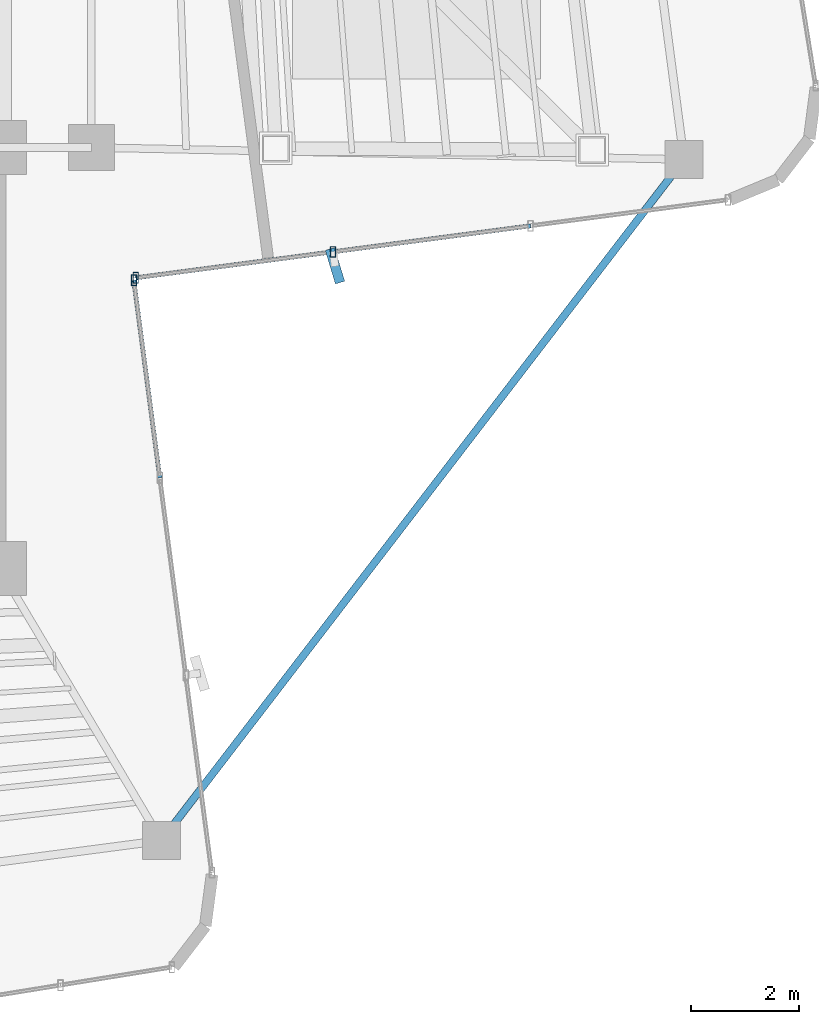
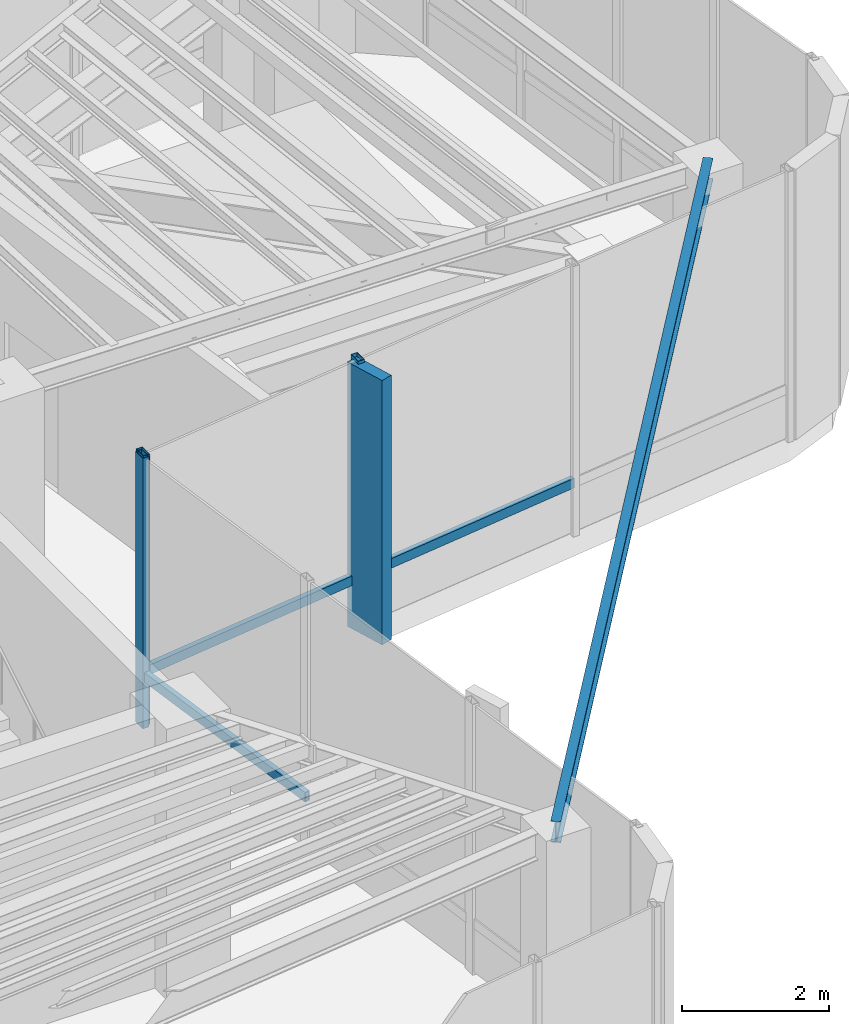
# One storey, part 4 of 16: 7 members, 1 beam, 2 elements without a shape of their own.
"""IFC4 building model written with IfcOpenShell, lengths in metres."""

import ifcopenshell
import ifcopenshell.guid

model = None  # the IFC model being written
_history = None  # IfcOwnerHistory: only IFC2X3 demands one
_inside = {}  # id of a spatial element -> (the spatial element, [elements in it])
_under = {}  # id of a project, library or spatial element -> (it, [spatial elements below it])
_declared = {}  # id of a project -> (the project, [libraries it declares])
_typed = {}  # id of a type object -> (the type object, [elements of that type])
_made_of = {}  # id of a material, layer set ... -> (it, [elements and type objects made of it])


def new_model(schema):
    """Start an empty IFC model of exactly this schema.

    Asked for "IFC4X3", IfcOpenShell would pick the latest addendum, in which some entities
    have other attributes; the version numbers below select the first issue.
    IFC2X3 requires an IfcOwnerHistory on every rooted entity: one is made here for all.
    """
    global model, _history
    if schema == "IFC4X3":
        model = ifcopenshell.file(schema_version=(4, 3, 0, 0))
    else:
        model = ifcopenshell.file(schema=schema)
    _inside.clear()
    _under.clear()
    _declared.clear()
    _typed.clear()
    _made_of.clear()
    _history = None
    if model.schema == "IFC2X3":
        org = make("IfcOrganization", Name="unknown")
        user = make(
            "IfcPersonAndOrganization",
            ThePerson=make("IfcPerson", FamilyName="unknown"),
            TheOrganization=org,
        )
        app = make(
            "IfcApplication",
            ApplicationDeveloper=org,
            Version="unknown",
            ApplicationFullName="unknown",
            ApplicationIdentifier="unknown",
        )
        _history = make(
            "IfcOwnerHistory",
            OwningUser=user,
            OwningApplication=app,
            ChangeAction="ADDED",
            CreationDate=0,
        )
    return model


def make(cls, **values):
    """One entity of the class cls with the attributes given. An attribute that is None is left unset."""
    return model.create_entity(
        cls, **{name: value for name, value in values.items() if value is not None}
    )


def rooted(cls, **values):
    """An entity with a GlobalId (a new one), such as an element, a storey or a relation."""
    return make(cls, GlobalId=ifcopenshell.guid.new(), OwnerHistory=_history, **values)


def si_unit(unit_type, name, prefix=None):
    """IfcSIUnit, for example si_unit("LENGTHUNIT", "METRE", prefix="MILLI")."""
    return make("IfcSIUnit", UnitType=unit_type, Prefix=prefix, Name=name)


def assignment(units):
    """IfcUnitAssignment: the units of a project."""
    return None if units is None else make("IfcUnitAssignment", Units=units)


def point(xyz):
    """IfcCartesianPoint."""
    return None if xyz is None else make("IfcCartesianPoint", Coordinates=xyz)


def direction(xyz):
    """IfcDirection."""
    return None if xyz is None else make("IfcDirection", DirectionRatios=xyz)


def frame(location, z_axis=None, x_axis=None):
    """IfcAxis2Placement3D, a coordinate frame: its origin and axes. An axis left out is left unset."""
    return make(
        "IfcAxis2Placement3D",
        Location=point(location),
        Axis=direction(z_axis),
        RefDirection=direction(x_axis),
    )


def frame_2d(location, x_axis=None):
    """IfcAxis2Placement2D, a coordinate frame in the plane: its origin and x axis."""
    return make(
        "IfcAxis2Placement2D", Location=point(location), RefDirection=direction(x_axis)
    )


def origin():
    """The frame at (0, 0, 0) with its axes left unset."""
    return frame((0.0, 0.0, 0.0))


def origin_2d():
    """The frame at (0, 0) in the plane with its x axis left unset."""
    return frame_2d((0.0, 0.0))


def place(relative_to, where):
    """IfcLocalPlacement: puts the frame where relative to a parent placement (None: the world)."""
    return make(
        "IfcLocalPlacement", PlacementRelTo=relative_to, RelativePlacement=where
    )


def context(
    kind, dimensions, precision=None, world=None, true_north=None, identifier=None
):
    """IfcGeometricRepresentationContext, for example the 3D "Model" context."""
    return make(
        "IfcGeometricRepresentationContext",
        ContextIdentifier=identifier,
        ContextType=kind,
        CoordinateSpaceDimension=dimensions,
        Precision=precision,
        WorldCoordinateSystem=world,
        TrueNorth=true_north,
    )


def subcontext(parent, identifier, kind, view, scale=None):
    """IfcGeometricRepresentationSubContext, for example "Body" below "Model"."""
    return make(
        "IfcGeometricRepresentationSubContext",
        ContextIdentifier=identifier,
        ContextType=kind,
        ParentContext=parent,
        TargetScale=scale,
        TargetView=view,
    )


def project(units=None, contexts=None):
    """IfcProject with its units and contexts."""
    return rooted(
        "IfcProject",
        Name="project",
        RepresentationContexts=contexts,
        UnitsInContext=assignment(units),
    )


def spatial(cls, under=None, at=None, **own):
    """A site, building, storey or space (cls), placed at a placement, below another one or the project."""
    s = rooted(cls, ObjectPlacement=at, **own)
    if under is not None:
        _under.setdefault(under.id(), (under, []))[1].append(s)
    return s


def profile(cls, at=None, kind="AREA", **sizes):
    """A parametric profile (cls). Its sizes go by their IFC names, for example OverallWidth=200.0."""
    return make(cls, ProfileType=kind, Position=at, **sizes)


def rectangle(**sizes):
    """IfcRectangleProfileDef."""
    return profile("IfcRectangleProfileDef", **sizes)


def hollow_rectangle(**sizes):
    """IfcRectangleHollowProfileDef."""
    return profile("IfcRectangleHollowProfileDef", **sizes)


def i_section(**sizes):
    """IfcIShapeProfileDef."""
    return profile("IfcIShapeProfileDef", **sizes)


def extrude(swept, where, along, depth):
    """IfcExtrudedAreaSolid: the profile swept, set in the frame where, extruded along a direction by depth."""
    return make(
        "IfcExtrudedAreaSolid",
        SweptArea=swept,
        Position=where,
        ExtrudedDirection=direction(along),
        Depth=depth,
    )


def shape(context_of_items, identifier, shape_type, items):
    """IfcShapeRepresentation: the items that make up one representation, for example the "Body"."""
    return make(
        "IfcShapeRepresentation",
        ContextOfItems=context_of_items,
        RepresentationIdentifier=identifier,
        RepresentationType=shape_type,
        Items=items,
    )


def source(mapping_origin, context_of_items, identifier, shape_type, items):
    """IfcRepresentationMap: a shape defined once, which mapped items show again and again."""
    return make(
        "IfcRepresentationMap",
        MappingOrigin=mapping_origin,
        MappedRepresentation=shape(context_of_items, identifier, shape_type, items),
    )


def transform(
    local_origin,
    x_axis=None,
    y_axis=None,
    z_axis=None,
    scale=None,
    scale2=None,
    scale3=None,
    uniform=True,
):
    """IfcCartesianTransformationOperator3D, or its non-uniform kind. x_axis, y_axis, z_axis: its Axis1, 2, 3."""
    if uniform:
        return make(
            "IfcCartesianTransformationOperator3D",
            Axis1=direction(x_axis),
            Axis2=direction(y_axis),
            LocalOrigin=point(local_origin),
            Scale=scale,
            Axis3=direction(z_axis),
        )
    return make(
        "IfcCartesianTransformationOperator3DnonUniform",
        Axis1=direction(x_axis),
        Axis2=direction(y_axis),
        LocalOrigin=point(local_origin),
        Scale=scale,
        Axis3=direction(z_axis),
        Scale2=scale2,
        Scale3=scale3,
    )


def mapped(mapping_source, mapping_target):
    """IfcMappedItem: shows the shape of a source again, moved by a transform."""
    return make(
        "IfcMappedItem", MappingSource=mapping_source, MappingTarget=mapping_target
    )


def material(Name=None, Category=None):
    """IfcMaterial."""
    return make("IfcMaterial", Name=Name, Category=Category)


def material_profile(
    of_material, cross_section, Name=None, Category=None, Priority=None
):
    """IfcMaterialProfile: a cross section and its material."""
    return make(
        "IfcMaterialProfile",
        Name=Name,
        Material=of_material,
        Profile=cross_section,
        Priority=Priority,
        Category=Category,
    )


def profile_set(profiles, Name=None, composite=None):
    """IfcMaterialProfileSet."""
    return make(
        "IfcMaterialProfileSet",
        Name=Name,
        MaterialProfiles=profiles,
        CompositeProfile=composite,
    )


def made_of(thing, what):
    """Note that an element or type object is made of a material, layer set ...; save() writes the relation."""
    if what is not None:
        _made_of.setdefault(what.id(), (what, []))[1].append(thing)
    return thing


def type_object(cls, material=None, **own):
    """A type object (cls), such as IfcWallType, which elements share."""
    return made_of(rooted(cls, **own), material)


def element(
    cls,
    number,
    at=None,
    inside=None,
    cuts=None,
    type_object=None,
    material=None,
    context=None,
    identifier="Body",
    shape_type=None,
    held_by="IfcProductDefinitionShape",
    body=None,
    shapes=None,
    **own,
):
    """One element of the class cls, such as IfcWall. Its Tag is "e" and its number.

    at: its placement. inside: the storey or other place that contains it. cuts: it is an
    opening in that element (IfcRelVoidsElement). A single representation is given by context,
    identifier, shape_type and body (its items); several are given by shapes. held_by: the class
    of the entity that holds the representations. save() writes the other relations.
    """
    e = rooted(cls, Tag="e%d" % number, ObjectPlacement=at, **own)
    if body is not None:
        shapes = [shape(context, identifier, shape_type, body)]
    if shapes is not None:
        e.Representation = make(held_by, Representations=shapes)
    if inside is not None:
        _inside.setdefault(inside.id(), (inside, []))[1].append(e)
    if cuts is not None:
        rooted(
            "IfcRelVoidsElement", RelatingBuildingElement=cuts, RelatedOpeningElement=e
        )
    if type_object is not None:
        _typed.setdefault(type_object.id(), (type_object, []))[1].append(e)
    return made_of(e, material)


def aggregate(whole, parts):
    """IfcRelAggregates: a whole, such as a stair, and the parts it consists of."""
    return rooted("IfcRelAggregates", RelatingObject=whole, RelatedObjects=parts)


def save(model, path):
    """Write the relations noted so far, then the file.

    IfcRelAggregates (storeys below a building ...), IfcRelContainedInSpatialStructure (elements
    in a storey), IfcRelDefinesByType, IfcRelAssociatesMaterial and IfcRelDeclares: one each for
    every whole, place, type object, material and project.
    """
    for whole, parts in _under.values():
        aggregate(whole, parts)
    for where, things in _inside.values():
        rooted(
            "IfcRelContainedInSpatialStructure",
            RelatedElements=things,
            RelatingStructure=where,
        )
    for kind, things in _typed.values():
        rooted("IfcRelDefinesByType", RelatedObjects=things, RelatingType=kind)
    for what, things in _made_of.values():
        rooted("IfcRelAssociatesMaterial", RelatedObjects=things, RelatingMaterial=what)
    for by, libraries in _declared.values():
        rooted("IfcRelDeclares", RelatingContext=by, RelatedDefinitions=libraries)
    model.write(path)


model = new_model("IFC4")

# Units and contexts
model_context = context("Model", 3, precision=1e-05, world=origin(), true_north=direction((0.0, 1.0)))
body_context = subcontext(model_context, "Body", "Model", "MODEL_VIEW")
ifc_project = project(units=[si_unit("LENGTHUNIT", "METRE"), si_unit("AREAUNIT", "SQUARE_METRE"), si_unit("VOLUMEUNIT", "CUBIC_METRE"), si_unit("PLANEANGLEUNIT", "RADIAN"), si_unit("MASSUNIT", "GRAM", prefix="KILO")], contexts=[model_context])

# Site, building, storey
site_placement = place(None, origin())
site = spatial("IfcSite", under=ifc_project, at=site_placement, CompositionType="ELEMENT")
building_placement = place(site_placement, origin())
building = spatial("IfcBuilding", under=site, at=building_placement, Name="Sahyath Konkavel Grand Hotel", CompositionType="ELEMENT")
storey_placement = place(building_placement, frame((0.0, 0.0, 280.300048828125)))
storey = spatial("IfcBuildingStorey", under=building, at=storey_placement, Name="L78", CompositionType="ELEMENT", Elevation=280.300048828125)

# Beam
ifc_material_1 = material(Name="Steel E350", Category="steel")
ifc_material_profile_1 = material_profile(ifc_material_1, i_section(OverallWidth=0.139892578125, OverallDepth=0.35009765625, WebThickness=0.008056640625, FlangeThickness=0.01416015625, FilletRadius=0.013916015625, at=origin_2d()), Name="ISMB 350")
ifc_profile_set_1 = profile_set([ifc_material_profile_1], Name="Steel E350")
beam_type = type_object("IfcBeamType", Name="BM-ISMB350", PredefinedType="BEAM", material=ifc_profile_set_1)
shared_shape_1 = source(origin(), body_context, "Body", "SweptSolid", [
    extrude(i_section(OverallWidth=0.139892578125, OverallDepth=0.35009765625, WebThickness=0.008056640625, FlangeThickness=0.01416015625, FilletRadius=0.013916015625, at=origin_2d()), origin(), (0.0, 0.0, 1.0), 15.909912109375),
])
beam_placement = place(storey_placement, frame((16.483154296875, -2.620849609375, 4.324951171875), z_axis=(-0.608755898564, -0.79335758392, 0.0), x_axis=(0.79335758392, -0.608755898564, 0.0)))
element("IfcBeam", 1, at=beam_placement, inside=storey, type_object=beam_type, Name="L78 Re-Entrant Tie Beam SE", PredefinedType="BEAM", context=body_context, shape_type="MappedRepresentation", body=[
    mapped(shared_shape_1, transform((0.0, 0.0, 0.0), scale=1.0)),
])

# Curtain wall, members
ifc_material_2 = material(Name="Anodised Bronze Aluminium & Low-E Glazing", Category="aluminium")
curtain_wall_type = type_object("IfcCurtainWallType", Name="CW-CROWN-TMD", PredefinedType="NOTDEFINED", material=ifc_material_2)
curtain_wall_1_placement = place(storey_placement, origin())
curtain_wall_1 = element("IfcCurtainWall", 2, at=curtain_wall_1_placement, inside=storey, type_object=curtain_wall_type, Name="L78 Unitised Curtain Wall F0", PredefinedType="NOTDEFINED")
ifc_material_3 = material(Name="Anodised Bronze Aluminium", Category="aluminium")
ifc_material_profile_2 = material_profile(ifc_material_3, hollow_rectangle(XDim=0.10009765625, YDim=0.199951171875, WallThickness=0.008056640625, at=origin_2d()), Name="RHS 200x100x8")
ifc_profile_set_2 = profile_set([ifc_material_profile_2], Name="Anodised Bronze Aluminium")
member_type_1 = type_object("IfcMemberType", Name="CW-MUL-200", PredefinedType="MULLION", material=ifc_profile_set_2)
shared_shape_2 = source(origin(), body_context, "Body", "SweptSolid", [
    extrude(hollow_rectangle(XDim=0.10009765625, YDim=0.199951171875, WallThickness=0.008056640625, at=origin_2d()), origin(), (0.0, 0.0, 1.0), 4.5),
])
member_1_placement = place(storey_placement, frame((6.32275390625, -4.81591796875, 0.0), z_axis=(0.0, 0.0, 1.0), x_axis=(1.0, 0.0, 0.0)))
member_1 = element("IfcMember", 3, at=member_1_placement, type_object=member_type_1, Name="L78 Curtain Wall Mullion F0-0", PredefinedType="MULLION", context=body_context, shape_type="MappedRepresentation", body=[
    mapped(shared_shape_2, transform((0.0, 0.0, 0.0), scale=1.0)),
])
member_2_placement = place(storey_placement, frame((9.981201171875, -4.334228515625, 0.0), z_axis=(0.0, 0.0, 1.0), x_axis=(1.0, 0.0, 0.0)))
member_2 = element("IfcMember", 4, at=member_2_placement, type_object=member_type_1, Name="L78 Curtain Wall Mullion F0-1", PredefinedType="MULLION", context=body_context, shape_type="MappedRepresentation", body=[
    mapped(shared_shape_2, transform((0.0, 0.0, 0.0), scale=1.0)),
])

# Curtain wall, member
curtain_wall_2_placement = place(storey_placement, origin())
curtain_wall_2 = element("IfcCurtainWall", 5, at=curtain_wall_2_placement, inside=storey, type_object=curtain_wall_type, Name="L78 Unitised Curtain Wall F31", PredefinedType="NOTDEFINED")
member_3_placement = place(storey_placement, frame((6.2880859375, -4.86083984375, 0.0), z_axis=(0.0, 0.0, 1.0), x_axis=(1.0, 0.0, 0.0)))
member_3 = element("IfcMember", 6, at=member_3_placement, type_object=member_type_1, Name="L78 Curtain Wall Mullion F31-3", PredefinedType="MULLION", context=body_context, shape_type="MappedRepresentation", body=[
    mapped(shared_shape_2, transform((0.0, 0.0, 0.0), scale=1.0)),
])

# Member
ifc_material_4 = material(Name="Warm Buff Sandstone Cladding on Concrete C50/60", Category="masonry")
ifc_material_profile_3 = material_profile(ifc_material_4, rectangle(XDim=0.179931640625, YDim=0.64990234375, at=origin_2d()), Name="FIN 180x650")
ifc_profile_set_3 = profile_set([ifc_material_profile_3], Name="Warm Buff Sandstone Cladding on Concrete C50/60")
member_type_2 = type_object("IfcMemberType", Name="FIN-SANDSTONE-650", PredefinedType="MULLION", material=ifc_profile_set_3)
shared_shape_3 = source(origin(), body_context, "Body", "SweptSolid", [
    extrude(rectangle(XDim=0.179931640625, YDim=0.64990234375, at=origin_2d()), origin(), (0.0, 0.0, 1.0), 4.39990234375),
])
member_4_placement = place(storey_placement, frame((10.014892578125, -4.592041015625, 0.050048828125), z_axis=(0.0, 0.0, 1.0), x_axis=(0.957117481996, 0.289700061544, 0.0)))
member_4 = element("IfcMember", 7, at=member_4_placement, type_object=member_type_2, Name="L78 Sandstone Vertical Solar Fin FIN F0-1", PredefinedType="MULLION", context=body_context, shape_type="MappedRepresentation", body=[
    mapped(shared_shape_3, transform((0.0, 0.0, 0.0), scale=1.0)),
])

ifc_material_profile_4 = material_profile(ifc_material_3, hollow_rectangle(XDim=0.080078125, YDim=0.159912109375, WallThickness=0.006103515625, at=origin_2d()), Name="RHS 160x80x6")
ifc_profile_set_4 = profile_set([ifc_material_profile_4], Name="Anodised Bronze Aluminium")
member_type_3 = type_object("IfcMemberType", Name="CW-TRN-160", PredefinedType="USERDEFINED", material=ifc_profile_set_4)
shared_shape_4 = source(origin(), body_context, "Body", "SweptSolid", [
    extrude(hollow_rectangle(XDim=0.080078125, YDim=0.159912109375, WallThickness=0.006103515625, at=origin_2d()), origin(), (0.0, 0.0, 1.0), 3.68994140625),
])
member_5_placement = place(storey_placement, frame((6.32275390625, -4.81591796875, 0.849853515625), z_axis=(0.991443257426, 0.130538374835, 0.0), x_axis=(-0.130538374835, 0.991443257426, 0.0)))
member_5 = element("IfcMember", 8, at=member_5_placement, type_object=member_type_3, Name="L78 Curtain Wall Transom F0-0-spandrel", ObjectType="TRANSOM", PredefinedType="USERDEFINED", context=body_context, shape_type="MappedRepresentation", body=[
    mapped(shared_shape_4, transform((0.0, 0.0, 0.0), scale=1.0)),
])

member_6_placement = place(storey_placement, frame((6.77001953125, -8.519287109375, 0.849853515625), z_axis=(-0.130603408947, 0.99143469254, 0.0), x_axis=(-0.99143469254, -0.130603408947, 0.0)))
member_6 = element("IfcMember", 9, at=member_6_placement, type_object=member_type_3, Name="L78 Curtain Wall Transom F31-2-spandrel", ObjectType="TRANSOM", PredefinedType="USERDEFINED", context=body_context, shape_type="MappedRepresentation", body=[
    mapped(shared_shape_4, transform((0.0, 0.0, 0.0), scale=1.0)),
])

aggregate(curtain_wall_2, [member_3, member_6])

shared_shape_5 = source(origin(), body_context, "Body", "SweptSolid", [
    extrude(hollow_rectangle(XDim=0.080078125, YDim=0.159912109375, WallThickness=0.006103515625, at=origin_2d()), origin(), (0.0, 0.0, 1.0), 3.689697265625),
])
member_7_placement = place(storey_placement, frame((9.981201171875, -4.334228515625, 0.849853515625), z_axis=(0.99144212989, 0.130546938219, 0.0), x_axis=(-0.130546938219, 0.99144212989, 0.0)))
member_7 = element("IfcMember", 10, at=member_7_placement, type_object=member_type_3, Name="L78 Curtain Wall Transom F0-1-spandrel", ObjectType="TRANSOM", PredefinedType="USERDEFINED", context=body_context, shape_type="MappedRepresentation", body=[
    mapped(shared_shape_5, transform((0.0, 0.0, 0.0), scale=1.0)),
])

aggregate(curtain_wall_1, [member_1, member_2, member_4, member_5, member_7])

save(model, "model.ifc")
